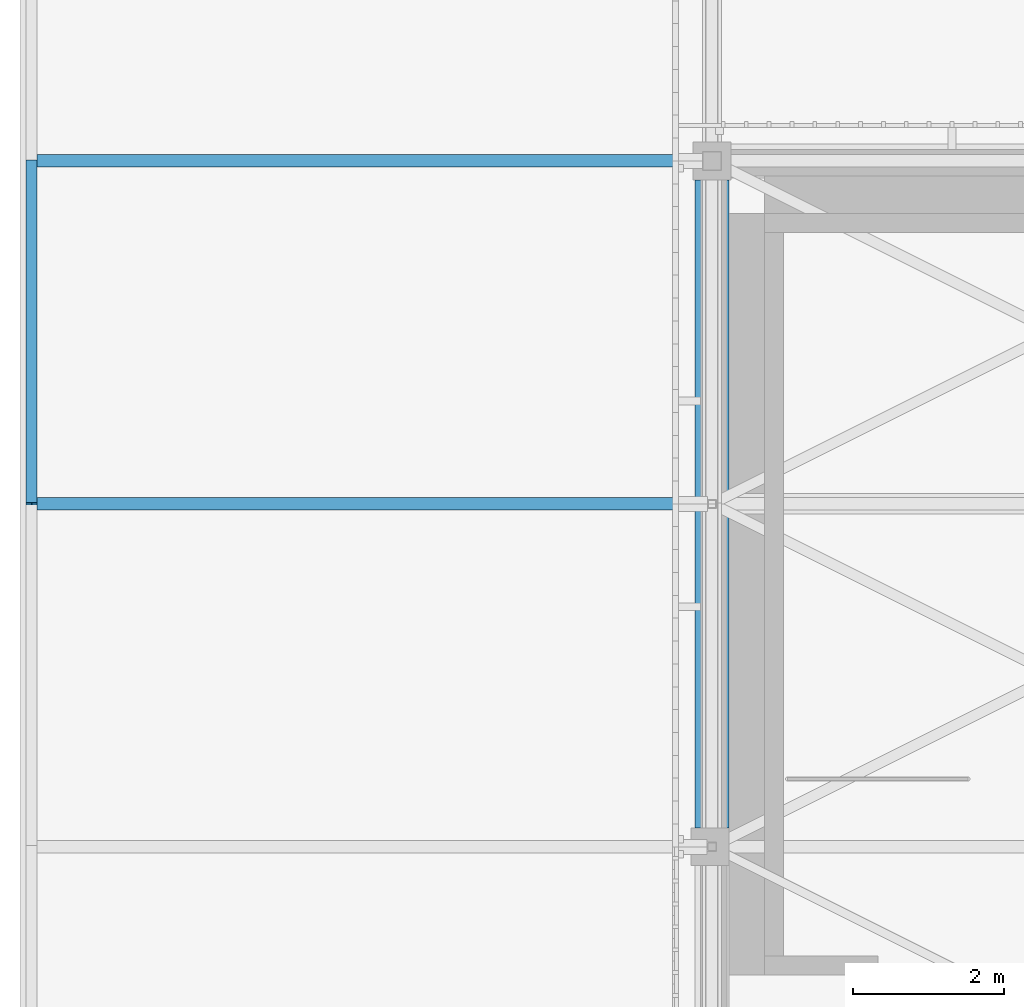
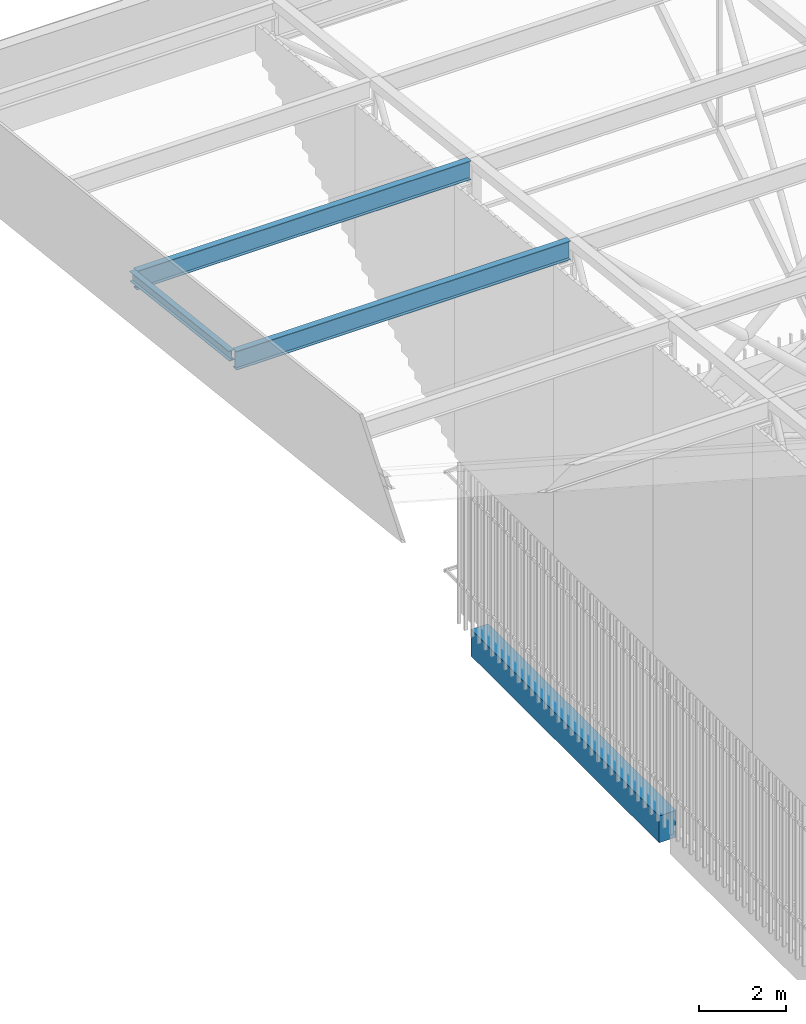
# One storey, part 227 of 500: 3 members, 1 beam.
"""IFC4 building model written with IfcOpenShell, lengths in metres."""

from ifc_helpers import new_model, si_unit, direction, frame, origin, origin_2d, place, context, subcontext, project, spatial, rectangle, i_section, extrude, material, material_profile, profile_set, type_object, element, save


model = new_model("IFC4")

# Units and contexts
model_context = context("Model", 3, precision=1e-05, world=origin(), true_north=direction((0.0, 1.0)))
body_context = subcontext(model_context, "Body", "Model", "MODEL_VIEW")
ifc_project = project(units=[si_unit("LENGTHUNIT", "METRE"), si_unit("AREAUNIT", "SQUARE_METRE"), si_unit("VOLUMEUNIT", "CUBIC_METRE"), si_unit("PLANEANGLEUNIT", "RADIAN"), si_unit("MASSUNIT", "GRAM", prefix="KILO")], contexts=[model_context])

# Site, building, storey
site_placement = place(None, origin())
site = spatial("IfcSite", under=ifc_project, at=site_placement, CompositionType="ELEMENT")
building_placement = place(site_placement, origin())
building = spatial("IfcBuilding", under=site, at=building_placement, Name="Shirokan Park Arena", CompositionType="ELEMENT")
storey_placement = place(building_placement, frame((0.0, 0.0, 29.1201171875)))
storey = spatial("IfcBuildingStorey", under=building, at=storey_placement, Name="L06", CompositionType="ELEMENT", Elevation=29.1201171875)

# Members
ifc_material_1 = material(Name="Steel ASTM A992", Category="steel")
ifc_material_profile_1 = material_profile(ifc_material_1, i_section(OverallWidth=0.166015625, OverallDepth=0.528076171875, WebThickness=0.009765625, FlangeThickness=0.013671875, at=origin_2d()), Name="W530X74")
ifc_profile_set_1 = profile_set([ifc_material_profile_1], Name="Steel ASTM A992")
member_type_1 = type_object("IfcMemberType", Name="Purlin W530X74", PredefinedType="PURLIN", material=ifc_profile_set_1)
for number, where, z_axis, x_axis, name in (
    (1, (-8.951904296875, 104.64990234375, 13.005859375), (1.0, 0.0, 0.0), (0.0, 1.0, 0.0), "Eave purlin west 26"),
    (2, (-8.951904296875, 109.199951171875, 12.48583984375), (1.0, 0.0, 0.0), (0.0, 1.0, 0.0), "Eave purlin west 27"),
):
    element("IfcMember", number, at=place(storey_placement, frame(where, z_axis=z_axis, x_axis=x_axis)), inside=storey, type_object=member_type_1, Name=name, PredefinedType="PURLIN", context=body_context, shape_type="SweptSolid", body=[
        extrude(i_section(OverallWidth=0.166015625, OverallDepth=0.528076171875, WebThickness=0.009765625, FlangeThickness=0.013671875, at=origin_2d()), origin(), (0.0, 0.0, 1.0), 8.824951171875),
    ])

# Beam
ifc_material_2 = material(Name="Concrete C35", Category="concrete")
ifc_material_profile_2 = material_profile(ifc_material_2, rectangle(XDim=0.449951171875, YDim=0.75, at=origin_2d()), Name="450x750")
ifc_profile_set_2 = profile_set([ifc_material_profile_2], Name="Concrete C35")
beam_type = type_object("IfcBeamType", Name="RC girder 450x750", PredefinedType="BEAM", material=ifc_profile_set_2)
beam_placement = place(storey_placement, frame((0.0, 100.35009765625, -0.5751953125), z_axis=(0.0, 1.0, 0.0), x_axis=(-1.0, 0.0, 0.0)))
element("IfcBeam", 3, at=beam_placement, inside=storey, type_object=beam_type, Name="Girder 1M-1N L06", PredefinedType="BEAM", context=body_context, shape_type="SweptSolid", body=[
    extrude(rectangle(XDim=0.449951171875, YDim=0.75, at=origin_2d()), origin(), (0.0, 0.0, 1.0), 8.599853515625),
])

# Member
ifc_material_profile_3 = material_profile(ifc_material_1, i_section(OverallWidth=0.14794921875, OverallDepth=0.26708984375, WebThickness=0.007568359375, FlangeThickness=0.012939453125, at=origin_2d()), Name="W250X44.8")
ifc_profile_set_3 = profile_set([ifc_material_profile_3], Name="Steel ASTM A992")
member_type_2 = type_object("IfcMemberType", Name="Roof edge beam W250X44.8", PredefinedType="USERDEFINED", material=ifc_profile_set_3)
member_placement = place(storey_placement, frame((-9.02587890625, 104.64990234375, 13.136474609375), z_axis=(0.0, 0.993532328996, -0.113549598152), x_axis=(-1.0, 0.0, 0.0)))
element("IfcMember", 4, at=member_placement, inside=storey, type_object=member_type_2, Name="Roof edge beam W 26", ObjectType="ROOF EDGE BEAM", PredefinedType="USERDEFINED", context=body_context, shape_type="SweptSolid", body=[
    extrude(i_section(OverallWidth=0.14794921875, OverallDepth=0.26708984375, WebThickness=0.007568359375, FlangeThickness=0.012939453125, at=origin_2d()), origin(), (0.0, 0.0, 1.0), 4.57958984375),
])

save(model, "model.ifc")
